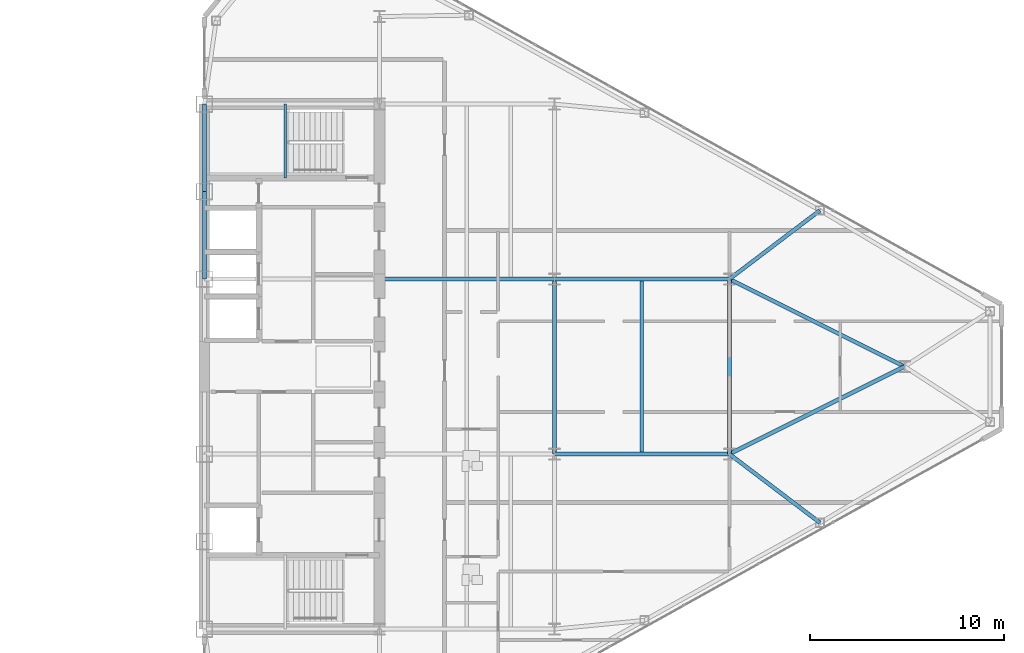
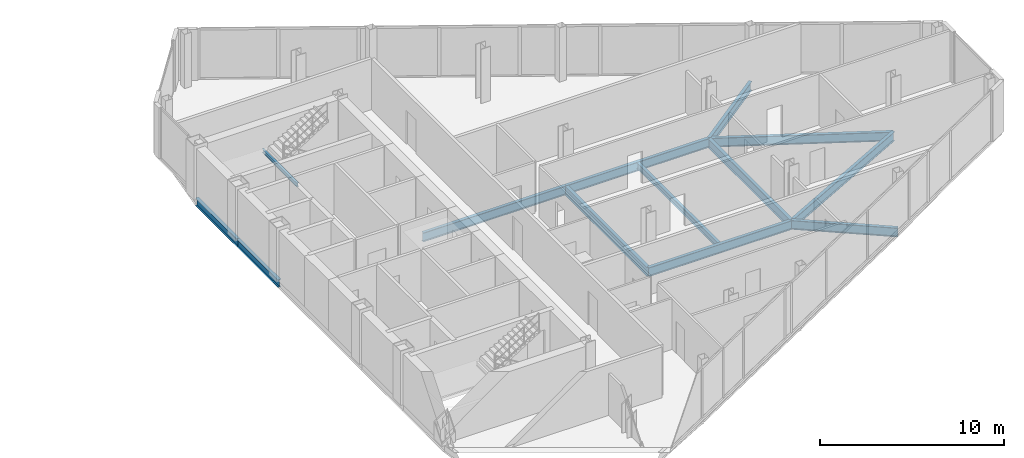
# One storey, part 14 of 26: 13 beams.
"""IFC4 building model written with IfcOpenShell, lengths in metres."""

from ifc_helpers import new_model, si_unit, direction, frame, origin, origin_2d, place, context, subcontext, project, spatial, i_section, extrude, source, transform, mapped, material, material_profile, profile_set, type_object, type_shapes, element, save


model = new_model("IFC4")

# Units and contexts
model_context = context("Model", 3, precision=1e-05, world=origin(), true_north=direction((0.0, 1.0)))
body_context = subcontext(model_context, "Body", "Model", "MODEL_VIEW")
ifc_project = project(units=[si_unit("LENGTHUNIT", "METRE"), si_unit("AREAUNIT", "SQUARE_METRE"), si_unit("VOLUMEUNIT", "CUBIC_METRE"), si_unit("PLANEANGLEUNIT", "RADIAN"), si_unit("MASSUNIT", "GRAM", prefix="KILO")], contexts=[model_context])

# Site, building, storey
site_placement = place(None, origin())
site = spatial("IfcSite", under=ifc_project, at=site_placement, CompositionType="ELEMENT")
building_placement = place(site_placement, origin())
building = spatial("IfcBuilding", under=site, at=building_placement, Name="Seokmaru Belvedere", CompositionType="ELEMENT")
storey_placement = place(building_placement, frame((0.0, 0.0, 167.10009765625)))
storey = spatial("IfcBuildingStorey", under=building, at=storey_placement, Name="L44", CompositionType="ELEMENT", Elevation=167.10009765625)

# Beams
ifc_material = material(Name="Steel SM355 (355 MPa)", Category="steel")
ifc_material_profile_1 = material_profile(ifc_material, i_section(OverallWidth=0.199951171875, OverallDepth=0.5, WebThickness=0.010009765625, FlangeThickness=0.01611328125, at=origin_2d()), Name="H-500x200x10x16")
ifc_profile_set_1 = profile_set([ifc_material_profile_1], Name="Steel SM355 (355 MPa)")
beam_type_1 = type_object("IfcBeamType", Name="Perimeter Spandrel Beam H-500", PredefinedType="SPANDREL", material=ifc_profile_set_1)
shared_shape_1 = source(origin(), body_context, "Body", "SweptSolid", [
    extrude(i_section(OverallWidth=0.199951171875, OverallDepth=0.5, WebThickness=0.010009765625, FlangeThickness=0.01611328125, at=origin_2d()), origin(), (0.0, 0.0, 1.0), 4.5),
])
type_shapes(beam_type_1, [shared_shape_1])
for number, where, z_axis, x_axis, name in (
    (1, (27.5, 4.5, -0.47021484375), (0.0, 1.0, 0.0), (-1.0, 0.0, 0.0), "L44 E Portal Spine Spandrel 4"),
    (2, (27.5, 9.0, -0.47021484375), (0.0, 1.0, 0.0), (-1.0, 0.0, 0.0), "L44 E Portal Spine Spandrel 5"),
):
    element("IfcBeam", number, at=place(storey_placement, frame(where, z_axis=z_axis, x_axis=x_axis)), inside=storey, type_object=beam_type_1, Name=name, PredefinedType="SPANDREL", context=body_context, shape_type="MappedRepresentation", body=[
        mapped(shared_shape_1, transform((0.0, 0.0, 0.0), scale=1.0)),
    ])
ifc_material_profile_2 = material_profile(ifc_material, i_section(OverallWidth=0.199951171875, OverallDepth=0.60009765625, WebThickness=0.010986328125, FlangeThickness=0.01708984375, at=origin_2d()), Name="H-600x200x11x17")
ifc_profile_set_2 = profile_set([ifc_material_profile_2], Name="Steel SM355 (355 MPa)")
beam_type_2 = type_object("IfcBeamType", Name="Primary Floor Girder H-600", PredefinedType="BEAM", material=ifc_profile_set_2)
shared_shape_2 = source(origin(), body_context, "Body", "SweptSolid", [
    extrude(i_section(OverallWidth=0.199951171875, OverallDepth=0.60009765625, WebThickness=0.010986328125, FlangeThickness=0.01708984375, at=origin_2d()), origin(), (0.0, 0.0, 1.0), 9.0),
])
for number, where, z_axis, x_axis, name in (
    (3, (45.5, -4.5, -0.52001953125), (0.0, 1.0, 0.0), (-1.0, 0.0, 0.0), "L44 E Interior Grid Girder 2"),
    (4, (36.5, 4.5, -0.52001953125), (1.0, 0.0, 0.0), (0.0, 1.0, 0.0), "L44 E Wing Primary Girder 3"),
    (5, (45.5, -4.5, -0.52001953125), (1.0, 0.0, 0.0), (0.0, 1.0, 0.0), "L44 E Outer Wing Girder 1"),
    (6, (45.5, 4.5, -0.52001953125), (1.0, 0.0, 0.0), (0.0, 1.0, 0.0), "L44 E Outer Wing Girder 2"),
    (7, (54.5, -4.5, -0.52001953125), (0.0, 1.0, 0.0), (-1.0, 0.0, 0.0), "L44 E Apex Frame Girder"),
):
    element("IfcBeam", number, at=place(storey_placement, frame(where, z_axis=z_axis, x_axis=x_axis)), inside=storey, type_object=beam_type_2, Name=name, PredefinedType="BEAM", context=body_context, shape_type="MappedRepresentation", body=[
        mapped(shared_shape_2, transform((0.0, 0.0, 0.0), scale=1.0)),
    ])
shared_shape_3 = source(origin(), body_context, "Body", "SweptSolid", [
    extrude(i_section(OverallWidth=0.199951171875, OverallDepth=0.60009765625, WebThickness=0.010986328125, FlangeThickness=0.01708984375, at=origin_2d()), origin(), (0.0, 0.0, 1.0), 10.062255859375),
])
for number, where, z_axis, x_axis, name in (
    (8, (54.5, -4.5, -0.52001953125), (0.894427191, 0.4472135955, 0.0), (-0.4472135955, 0.894427191, 0.0), "L44 E Apex Converging Girder 1"),
    (9, (54.5, 4.5, -0.52001953125), (0.894427191, -0.4472135955, 0.0), (0.4472135955, 0.894427191, 0.0), "L44 E Apex Converging Girder 2"),
):
    element("IfcBeam", number, at=place(storey_placement, frame(where, z_axis=z_axis, x_axis=x_axis)), inside=storey, type_object=beam_type_2, Name=name, PredefinedType="BEAM", context=body_context, shape_type="MappedRepresentation", body=[
        mapped(shared_shape_3, transform((0.0, 0.0, 0.0), scale=1.0)),
    ])
ifc_material_profile_3 = material_profile(ifc_material, i_section(OverallWidth=0.18505859375, OverallDepth=0.389892578125, WebThickness=0.008056640625, FlangeThickness=0.011962890625, at=origin_2d()), Name="H-390x185x8x12")
ifc_profile_set_3 = profile_set([ifc_material_profile_3], Name="Steel SM355 (355 MPa)")
beam_type_3 = type_object("IfcBeamType", Name="Secondary Floor Joist H-350", PredefinedType="JOIST", material=ifc_profile_set_3)
shared_shape_4 = source(origin(), body_context, "Body", "SweptSolid", [
    extrude(i_section(OverallWidth=0.18505859375, OverallDepth=0.389892578125, WebThickness=0.008056640625, FlangeThickness=0.011962890625, at=origin_2d()), origin(), (0.0, 0.0, 1.0), 8.7900390625),
])
type_shapes(beam_type_3, [shared_shape_4])
beam_1_placement = place(storey_placement, frame((50.0, -4.39501953125, -0.4150390625), z_axis=(0.0, 1.0, 0.0), x_axis=(-1.0, 0.0, 0.0)))
element("IfcBeam", 10, at=beam_1_placement, inside=storey, type_object=beam_type_3, Name="L44 E Outer Bay Secondary Joist", PredefinedType="JOIST", context=body_context, shape_type="MappedRepresentation", body=[
    mapped(shared_shape_4, transform((0.0, 0.0, 0.0), scale=1.0)),
])
shared_shape_5 = source(origin(), body_context, "Body", "SweptSolid", [
    extrude(i_section(OverallWidth=0.199951171875, OverallDepth=0.60009765625, WebThickness=0.010986328125, FlangeThickness=0.01708984375, at=origin_2d()), origin(), (0.0, 0.0, 1.0), 5.842529296875),
])
type_shapes(beam_type_2, [shared_shape_2, shared_shape_3, shared_shape_5])
for number, where, z_axis, x_axis, name in (
    (11, (59.154541015625, -8.031494140625, -0.52001953125), (-0.796653109879, 0.604436781243, 0.0), (-0.604436781243, -0.796653109879, 0.0), "L44 E Flank Radial Floor Girder S-3"),
    (12, (59.154541015625, 8.031494140625, -0.52001953125), (-0.796653109879, -0.604436781243, 0.0), (0.604436781243, -0.796653109879, 0.0), "L44 E Flank Radial Floor Girder N-3"),
):
    element("IfcBeam", number, at=place(storey_placement, frame(where, z_axis=z_axis, x_axis=x_axis)), inside=storey, type_object=beam_type_2, Name=name, PredefinedType="BEAM", context=body_context, shape_type="MappedRepresentation", body=[
        mapped(shared_shape_5, transform((0.0, 0.0, 0.0), scale=1.0)),
    ])
ifc_material_profile_4 = material_profile(ifc_material, i_section(OverallWidth=0.125, OverallDepth=0.25, WebThickness=0.006103515625, FlangeThickness=0.009033203125, at=origin_2d()), Name="H-250x125x6x9")
ifc_profile_set_4 = profile_set([ifc_material_profile_4], Name="Steel SM355 (355 MPa)")
beam_type_4 = type_object("IfcBeamType", Name="Stair Mid-Landing Support Beam H-250", PredefinedType="JOIST", material=ifc_profile_set_4)
shared_shape_6 = source(origin(), body_context, "Body", "SweptSolid", [
    extrude(i_section(OverallWidth=0.125, OverallDepth=0.25, WebThickness=0.006103515625, FlangeThickness=0.009033203125, at=origin_2d()), origin(), (0.0, 0.0, 1.0), 3.800048828125),
])
type_shapes(beam_type_4, [shared_shape_6])
beam_2_placement = place(storey_placement, frame((31.64990234375, 9.699951171875, 1.474853515625), z_axis=(0.0, 1.0, 0.0), x_axis=(-1.0, 0.0, 0.0)))
element("IfcBeam", 13, at=beam_2_placement, inside=storey, type_object=beam_type_4, Name="L44 Stair ST-E2 Mid-Landing Support Beam 1", PredefinedType="JOIST", context=body_context, shape_type="MappedRepresentation", body=[
    mapped(shared_shape_6, transform((0.0, 0.0, 0.0), scale=1.0)),
])

save(model, "model.ifc")
